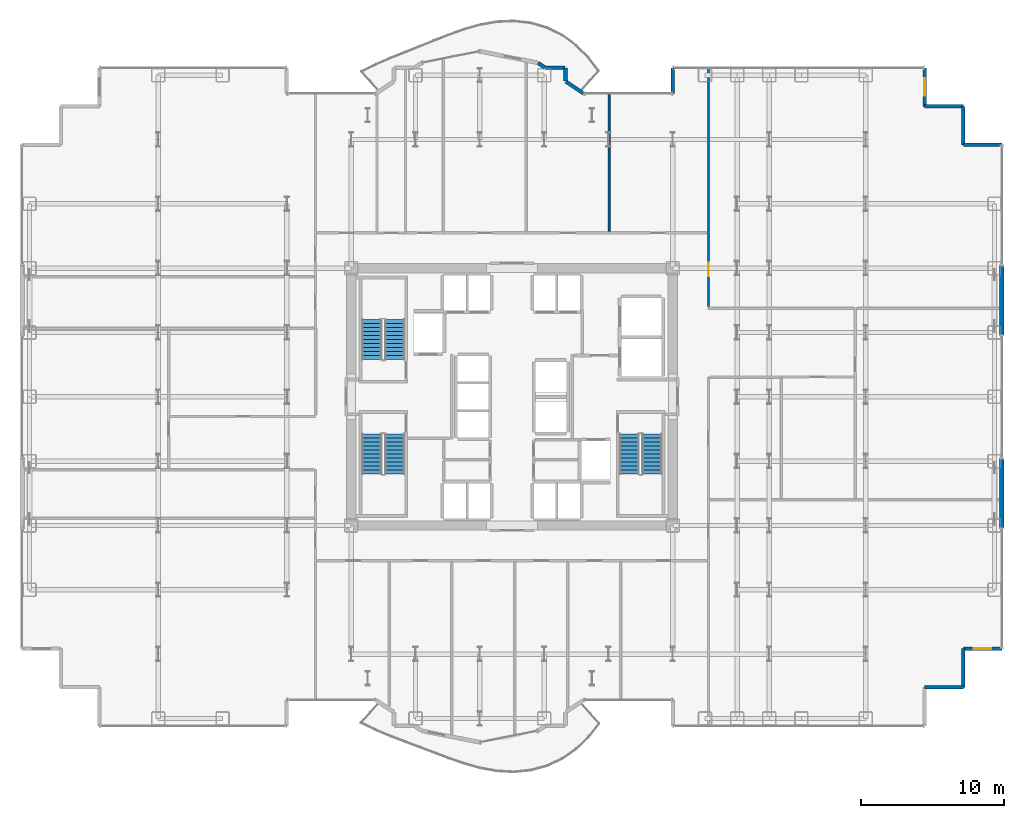
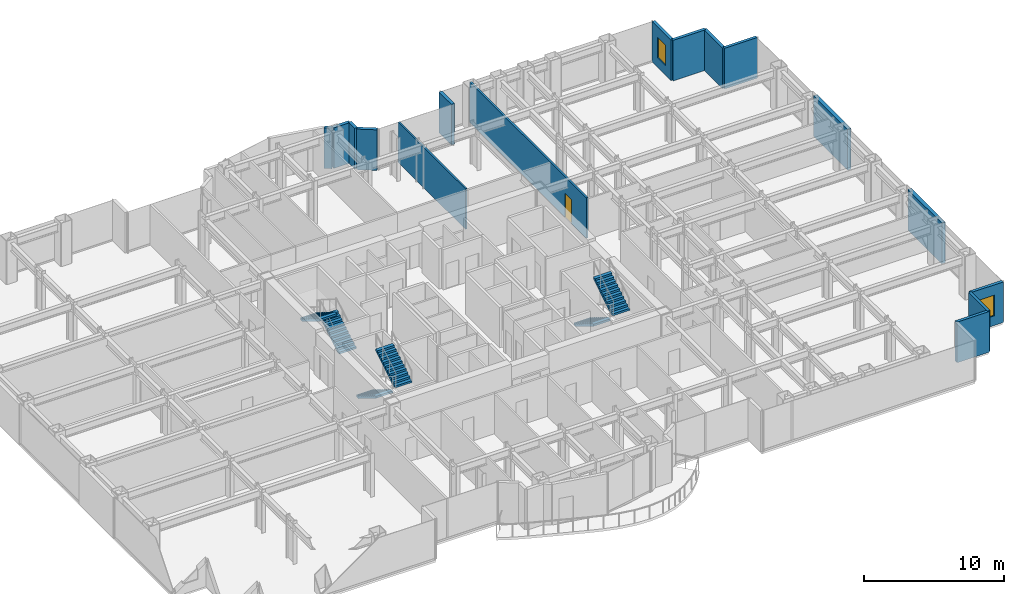
# One storey, part 27 of 29: 16 walls, 6 stair flights, 2 windows, 1 door, 3 openings, 3 elements without a shape of their own.
"""IFC4 building model written with IfcOpenShell, lengths in metres."""

from ifc_helpers import new_model, si_unit, direction, frame, frame_2d, origin, place, context, subcontext, project, spatial, polyline, rectangle, outline, extrude, source, transform, mapped, material, layer, layer_set, type_object, element, fill, aggregate, save


model = new_model("IFC4")

# Units and contexts
model_context = context("Model", 3, precision=1e-05, world=origin(), true_north=direction((0.0, 1.0)))
body_context = subcontext(model_context, "Body", "Model", "MODEL_VIEW")
ifc_project = project(units=[si_unit("LENGTHUNIT", "METRE"), si_unit("AREAUNIT", "SQUARE_METRE"), si_unit("VOLUMEUNIT", "CUBIC_METRE"), si_unit("PLANEANGLEUNIT", "RADIAN"), si_unit("MASSUNIT", "GRAM", prefix="KILO")], contexts=[model_context])

# Site, building, storey
site_placement = place(None, origin())
site = spatial("IfcSite", under=ifc_project, at=site_placement, CompositionType="ELEMENT")
building_placement = place(site_placement, origin())
building = spatial("IfcBuilding", under=site, at=building_placement, Name="Nefas-Gora Pilgrimage Tower", CompositionType="ELEMENT")
storey_placement = place(building_placement, frame((0.0, 0.0, 44.39990234375)))
storey = spatial("IfcBuildingStorey", under=building, at=storey_placement, Name="L09", CompositionType="ELEMENT", Elevation=44.39990234375)

# Walls
ifc_material_1 = material(Name="Precast concrete C45/55", Category="concrete")
ifc_layer_1 = layer(ifc_material_1, 0.239990234375)
ifc_layer_set_1 = layer_set([ifc_layer_1], Name="Precast concrete C45/55")
wall_type_1 = type_object("IfcWallType", Name="EW-SERR-240", PredefinedType="SHEAR", material=ifc_layer_set_1)
shared_shape_1 = source(origin(), body_context, "Body", "SweptSolid", [
    extrude(rectangle(XDim=4.8798828125, YDim=0.300048828125, at=frame_2d((2.43994140625, 0.0))), origin(), (0.0, 0.0, 1.0), 3.550048828125),
])
for number, where, z_axis, x_axis, name in (
    (1, (34.27001953125, -9.18994140625, 0.0), (0.0, 0.0, 1.0), (0.0, 1.0, 0.0), "L09 Braced-Tube Precast Shear Cladding 3"),
    (2, (34.27001953125, 4.31005859375, 0.0), (0.0, 0.0, 1.0), (0.0, 1.0, 0.0), "L09 Braced-Tube Precast Shear Cladding 4"),
):
    element("IfcWall", number, at=place(storey_placement, frame(where, z_axis=z_axis, x_axis=x_axis)), inside=storey, type_object=wall_type_1, Name=name, PredefinedType="SHEAR", context=body_context, shape_type="MappedRepresentation", body=[
        mapped(shared_shape_1, transform((0.0, 0.0, 0.0), x_axis=(1.0, 0.0, 0.0), y_axis=(0.0, 1.0, 0.0), z_axis=(0.0, 0.0, 1.0), scale=1.0)),
    ])
ifc_material_2 = material(Name="Precast concrete C40/50", Category="concrete")
ifc_layer_2 = layer(ifc_material_2, 0.260009765625)
ifc_layer_set_2 = layer_set([ifc_layer_2], Name="Precast concrete C40/50")
wall_type_2 = type_object("IfcWallType", Name="EW-PORTAL-260", PredefinedType="SOLIDWALL", material=ifc_layer_set_2)
shared_shape_2 = source(origin(), body_context, "Body", "SweptSolid", [
    extrude(rectangle(XDim=1.800048828125, YDim=0.260009765625, at=frame_2d((0.89990234375, 0.0))), origin(), (0.0, 0.0, 1.0), 3.550048828125),
])
wall_1_placement = place(storey_placement, frame((11.25, 23.02001953125, 0.0), z_axis=(0.0, 0.0, 1.0), x_axis=(0.0, -1.0, 0.0)))
element("IfcWall", 3, at=wall_1_placement, inside=storey, type_object=wall_type_2, Name="L09 Lobe Shoulder Precast Spandrel Pier 14", PredefinedType="SOLIDWALL", context=body_context, shape_type="MappedRepresentation", body=[
    mapped(shared_shape_2, transform((0.0, 0.0, 0.0), x_axis=(1.0, 0.0, 0.0), y_axis=(0.0, 1.0, 0.0), z_axis=(0.0, 0.0, 1.0), scale=1.0)),
])
shared_shape_3 = source(origin(), body_context, "Body", "SweptSolid", [
    extrude(rectangle(XDim=2.699951171875, YDim=0.239990234375, at=frame_2d((1.35009765625, 0.0))), origin(), (0.0, 0.0, 1.0), 3.550048828125),
])
for number, where, z_axis, x_axis, name in (
    (4, (28.8701171875, -20.320068359375, 0.0), (0.0, 0.0, 1.0), (1.0, 0.0, 0.0), "L09 Serrated Corner Shear Pier Wall 7"),
    (5, (31.570068359375, -20.320068359375, 0.0), (0.0, 0.0, 1.0), (0.0, 1.0, 0.0), "L09 Serrated Corner Shear Pier Wall 8"),
):
    element("IfcWall", number, at=place(storey_placement, frame(where, z_axis=z_axis, x_axis=x_axis)), inside=storey, type_object=wall_type_1, Name=name, PredefinedType="SHEAR", context=body_context, shape_type="MappedRepresentation", body=[
        mapped(shared_shape_3, transform((0.0, 0.0, 0.0), x_axis=(1.0, 0.0, 0.0), y_axis=(0.0, 1.0, 0.0), z_axis=(0.0, 0.0, 1.0), scale=1.0)),
    ])

# Wall, opening, window
wall_2_placement = place(storey_placement, frame((31.570068359375, -17.6201171875, 0.0), z_axis=(0.0, 0.0, 1.0), x_axis=(1.0, 0.0, 0.0)))
wall_2 = element("IfcWall", 6, at=wall_2_placement, inside=storey, type_object=wall_type_1, Name="L09 Serrated Corner Shear Pier Wall 9", PredefinedType="SHEAR", context=body_context, shape_type="MappedRepresentation", body=[
    mapped(shared_shape_3, transform((0.0, 0.0, 0.0), x_axis=(1.0, 0.0, 0.0), y_axis=(0.0, 1.0, 0.0), z_axis=(0.0, 0.0, 1.0), scale=1.0)),
])
opening_1_placement = place(wall_2_placement, frame((0.75, 0.0, 0.85009765625)))
opening_1 = element("IfcOpeningElement", 7, at=opening_1_placement, cuts=wall_2, Name="Opening W-V1", PredefinedType="OPENING", context=body_context, shape_type="SweptSolid", body=[
    extrude(rectangle(XDim=1.199951171875, YDim=1.800048828125, at=frame_2d((0.60009765625, 0.89990234375))), frame((0.0, 0.1298828125, 0.0), z_axis=(0.0, -1.0, 0.0), x_axis=(1.0, 0.0, 0.0)), (0.0, 0.0, 1.0), 0.260009765625),
])
ifc_material_3 = material(Name="Dark ceramic-fritted operable aluminium-glass window", Category="aluminium")
window_type = type_object("IfcWindowType", Name="WIN-VENT-1200x1800", PartitioningType="SINGLE_PANEL", PredefinedType="WINDOW", material=ifc_material_3)
shared_shape_4 = source(origin(), body_context, "Body", "SweptSolid", [
    extrude(rectangle(XDim=1.199951171875, YDim=1.800048828125, at=frame_2d((0.60009765625, 0.89990234375))), frame((0.0, 0.030029296875, 0.0), z_axis=(0.0, -1.0, 0.0), x_axis=(1.0, 0.0, 0.0)), (0.0, 0.0, 1.0), 0.06005859375),
])
window_1_placement = place(opening_1_placement, origin())
window_1 = element("IfcWindow", 8, at=window_1_placement, inside=storey, type_object=window_type, Name="L09 Operable Parallel-Outswing Window 9", OverallHeight=1.800048828125, OverallWidth=1.199951171875, PartitioningType="SINGLE_PANEL", PredefinedType="WINDOW", context=body_context, shape_type="MappedRepresentation", body=[
    mapped(shared_shape_4, transform((0.0, 0.0, 0.0), x_axis=(1.0, 0.0, 0.0), y_axis=(0.0, 1.0, 0.0), z_axis=(0.0, 0.0, 1.0), scale=1.0)),
])
fill(opening_1, window_1)

# Walls
for number, where, z_axis, x_axis, name in (
    (9, (34.27001953125, 17.6201171875, 0.0), (0.0, 0.0, 1.0), (-1.0, 0.0, 0.0), "L09 Serrated Corner Shear Pier Wall 10"),
    (10, (31.570068359375, 17.6201171875, 0.0), (0.0, 0.0, 1.0), (0.0, 1.0, 0.0), "L09 Serrated Corner Shear Pier Wall 11"),
    (11, (31.570068359375, 20.320068359375, 0.0), (0.0, 0.0, 1.0), (-1.0, 0.0, 0.0), "L09 Serrated Corner Shear Pier Wall 12"),
):
    element("IfcWall", number, at=place(storey_placement, frame(where, z_axis=z_axis, x_axis=x_axis)), inside=storey, type_object=wall_type_1, Name=name, PredefinedType="SHEAR", context=body_context, shape_type="MappedRepresentation", body=[
        mapped(shared_shape_3, transform((0.0, 0.0, 0.0), x_axis=(1.0, 0.0, 0.0), y_axis=(0.0, 1.0, 0.0), z_axis=(0.0, 0.0, 1.0), scale=1.0)),
    ])

# Wall, opening, window
wall_3_placement = place(storey_placement, frame((28.8701171875, 20.320068359375, 0.0), z_axis=(0.0, 0.0, 1.0), x_axis=(0.0, 1.0, 0.0)))
wall_3 = element("IfcWall", 12, at=wall_3_placement, inside=storey, type_object=wall_type_1, Name="L09 Serrated Corner Shear Pier Wall 13", PredefinedType="SHEAR", context=body_context, shape_type="MappedRepresentation", body=[
    mapped(shared_shape_3, transform((0.0, 0.0, 0.0), x_axis=(1.0, 0.0, 0.0), y_axis=(0.0, 1.0, 0.0), z_axis=(0.0, 0.0, 1.0), scale=1.0)),
])
opening_2_placement = place(wall_3_placement, frame((0.75, 0.0, 0.85009765625)))
opening_2 = element("IfcOpeningElement", 13, at=opening_2_placement, cuts=wall_3, Name="Opening W-V1", PredefinedType="OPENING", context=body_context, shape_type="SweptSolid", body=[
    extrude(rectangle(XDim=1.199951171875, YDim=1.800048828125, at=frame_2d((0.60009765625, 0.89990234375))), frame((0.0, 0.1298828125, 0.0), z_axis=(0.0, -1.0, 0.0), x_axis=(1.0, 0.0, 0.0)), (0.0, 0.0, 1.0), 0.260009765625),
])
window_2_placement = place(opening_2_placement, origin())
window_2 = element("IfcWindow", 14, at=window_2_placement, inside=storey, type_object=window_type, Name="L09 Operable Parallel-Outswing Window 13", OverallHeight=1.800048828125, OverallWidth=1.199951171875, PartitioningType="SINGLE_PANEL", PredefinedType="WINDOW", context=body_context, shape_type="MappedRepresentation", body=[
    mapped(shared_shape_4, transform((0.0, 0.0, 0.0), x_axis=(1.0, 0.0, 0.0), y_axis=(0.0, 1.0, 0.0), z_axis=(0.0, 0.0, 1.0), scale=1.0)),
])
fill(opening_2, window_2)

# Walls
shared_shape_5 = source(origin(), body_context, "Body", "SweptSolid", [
    extrude(rectangle(XDim=1.468994140625, YDim=0.260009765625, at=frame_2d((0.734375, 0.0))), origin(), (0.0, 0.0, 1.0), 3.550048828125),
])
wall_4_placement = place(storey_placement, frame((4.99462890625, 21.235595703125, 0.0), z_axis=(0.0, 0.0, 1.0), x_axis=(-0.831461760506, 0.555581983884, 0.0)))
element("IfcWall", 15, at=wall_4_placement, inside=storey, type_object=wall_type_2, Name="L09 Lobe Shoulder Precast Spandrel Pier 15", PredefinedType="SOLIDWALL", context=body_context, shape_type="MappedRepresentation", body=[
    mapped(shared_shape_5, transform((0.0, 0.0, 0.0), x_axis=(1.0, 0.0, 0.0), y_axis=(0.0, 1.0, 0.0), z_axis=(0.0, 0.0, 1.0), scale=1.0)),
])
shared_shape_6 = source(origin(), body_context, "Body", "SweptSolid", [
    extrude(rectangle(XDim=0.896728515625, YDim=0.260009765625, at=frame_2d((0.4482421875, 0.0))), origin(), (0.0, 0.0, 1.0), 3.550048828125),
])
wall_5_placement = place(storey_placement, frame((3.75, 22.09521484375, 0.0), z_axis=(0.0, 0.0, 1.0), x_axis=(0.0, 1.0, 0.0)))
element("IfcWall", 16, at=wall_5_placement, inside=storey, type_object=wall_type_2, Name="L09 Lobe Shoulder Precast Spandrel Pier 16", PredefinedType="SOLIDWALL", context=body_context, shape_type="MappedRepresentation", body=[
    mapped(shared_shape_6, transform((0.0, 0.0, 0.0), x_axis=(1.0, 0.0, 0.0), y_axis=(0.0, 1.0, 0.0), z_axis=(0.0, 0.0, 1.0), scale=1.0)),
])
shared_shape_7 = source(origin(), body_context, "Body", "SweptSolid", [
    extrude(rectangle(XDim=1.369873046875, YDim=0.260009765625, at=frame_2d((0.68505859375, 0.0))), origin(), (0.0, 0.0, 1.0), 3.550048828125),
])
wall_6_placement = place(storey_placement, frame((3.721923828125, 23.02001953125, 0.0), z_axis=(0.0, 0.0, 1.0), x_axis=(-1.0, 0.0, 0.0)))
element("IfcWall", 17, at=wall_6_placement, inside=storey, type_object=wall_type_2, Name="L09 Lobe Shoulder Precast Spandrel Pier 17", PredefinedType="SOLIDWALL", context=body_context, shape_type="MappedRepresentation", body=[
    mapped(shared_shape_7, transform((0.0, 0.0, 0.0), x_axis=(1.0, 0.0, 0.0), y_axis=(0.0, 1.0, 0.0), z_axis=(0.0, 0.0, 1.0), scale=1.0)),
])
shared_shape_8 = source(origin(), body_context, "Body", "SweptSolid", [
    extrude(rectangle(XDim=0.5654296875, YDim=0.260009765625, at=frame_2d((0.28271484375, 0.0))), origin(), (0.0, 0.0, 1.0), 3.550048828125),
])
wall_7_placement = place(storey_placement, frame((2.30078125, 23.03564453125, 0.0), z_axis=(0.0, 0.0, 1.0), x_axis=(-0.831651492666, 0.555297933317, 0.0)))
element("IfcWall", 18, at=wall_7_placement, inside=storey, type_object=wall_type_2, Name="L09 Lobe Shoulder Precast Spandrel Pier 18", PredefinedType="SOLIDWALL", context=body_context, shape_type="MappedRepresentation", body=[
    mapped(shared_shape_8, transform((0.0, 0.0, 0.0), x_axis=(1.0, 0.0, 0.0), y_axis=(0.0, 1.0, 0.0), z_axis=(0.0, 0.0, 1.0), scale=1.0)),
])

# Wall, opening, door
ifc_material_4 = material(Name="Gypsum acoustic stud partition")
ifc_layer_3 = layer(ifc_material_4, 0.159912109375)
ifc_layer_set_3 = layer_set([ifc_layer_3], Name="Gypsum acoustic stud partition")
wall_type_3 = type_object("IfcWallType", Name="IW-CORR-160", PredefinedType="PARTITIONING", material=ifc_layer_set_3)
shared_shape_9 = source(origin(), body_context, "Body", "SweptSolid", [
    extrude(rectangle(XDim=16.735107421875, YDim=0.159912109375, at=frame_2d((8.36767578125, 0.0))), origin(), (0.0, 0.0, 1.0), 3.53515625),
])
wall_8_placement = place(storey_placement, frame((13.739990234375, 6.304931640625, 0.0), z_axis=(0.0, 0.0, 1.0), x_axis=(0.0, 1.0, 0.0)))
wall_8 = element("IfcWall", 19, at=wall_8_placement, inside=storey, type_object=wall_type_3, Name="L09 Pilgrim Contemplative Lounge Partition Wall 48", PredefinedType="PARTITIONING", context=body_context, shape_type="MappedRepresentation", body=[
    mapped(shared_shape_9, transform((0.0, 0.0, 0.0), x_axis=(1.0, 0.0, 0.0), y_axis=(0.0, 1.0, 0.0), z_axis=(0.0, 0.0, 1.0), scale=1.0)),
])
opening_3_placement = place(wall_8_placement, frame((2.12744140625, 0.0, 0.0)))
opening_3 = element("IfcOpeningElement", 20, at=opening_3_placement, cuts=wall_8, Name="Opening ID-GR1", PredefinedType="OPENING", context=body_context, shape_type="SweptSolid", body=[
    extrude(rectangle(XDim=0.949951171875, YDim=2.10009765625, at=frame_2d((0.47509765625, 1.050048828125))), frame((0.0, 0.08984375, 0.0), z_axis=(0.0, -1.0, 0.0), x_axis=(1.0, 0.0, 0.0)), (0.0, 0.0, 1.0), 0.179931640625),
])
ifc_material_5 = material(Name="Solid core oak fire-rated guest entrance door")
door_type = type_object("IfcDoorType", Name="DR-INT-GUEST-950", OperationType="NOTDEFINED", PredefinedType="DOOR", material=ifc_material_5)
shared_shape_10 = source(origin(), body_context, "Body", "SweptSolid", [
    extrude(rectangle(XDim=0.949951171875, YDim=2.10009765625, at=frame_2d((0.47509765625, 1.050048828125))), frame((0.0, 0.02490234375, 0.0), z_axis=(0.0, -1.0, 0.0), x_axis=(1.0, 0.0, 0.0)), (0.0, 0.0, 1.0), 0.050048828125),
])
door_placement = place(opening_3_placement, origin())
door = element("IfcDoor", 21, at=door_placement, inside=storey, type_object=door_type, Name="L09 Pilgrim Contemplative Lounge Door 21", OperationType="SINGLE_SWING_RIGHT", OverallHeight=2.10009765625, OverallWidth=0.949951171875, PredefinedType="DOOR", context=body_context, shape_type="MappedRepresentation", body=[
    mapped(shared_shape_10, transform((0.0, 0.0, 0.0), x_axis=(1.0, 0.0, 0.0), y_axis=(0.0, 1.0, 0.0), z_axis=(0.0, 0.0, 1.0), scale=1.0)),
])
fill(opening_3, door)

# Wall
ifc_material_6 = material(Name="Gypsum twin-stud partition")
ifc_layer_4 = layer(ifc_material_6, 0.139892578125)
ifc_layer_set_4 = layer_set([ifc_layer_4], Name="Gypsum twin-stud partition")
wall_type_4 = type_object("IfcWallType", Name="IW-UNIT-140", PredefinedType="PARTITIONING", material=ifc_layer_set_4)
shared_shape_11 = source(origin(), body_context, "Body", "SweptSolid", [
    extrude(rectangle(XDim=9.64990234375, YDim=0.139892578125, at=frame_2d((4.824951171875, 0.0))), origin(), (0.0, 0.0, 1.0), 3.53515625),
])
wall_9_placement = place(storey_placement, frame((6.794921875, 11.590087890625, 0.0), z_axis=(0.0, 0.0, 1.0), x_axis=(0.0, 1.0, 0.0)))
element("IfcWall", 22, at=wall_9_placement, inside=storey, type_object=wall_type_4, Name="L09 Pilgrim Contemplative Lounge Partition Wall 55", PredefinedType="PARTITIONING", context=body_context, shape_type="MappedRepresentation", body=[
    mapped(shared_shape_11, transform((0.0, 0.0, 0.0), x_axis=(1.0, 0.0, 0.0), y_axis=(0.0, 1.0, 0.0), z_axis=(0.0, 0.0, 1.0), scale=1.0)),
])

# Stair, stair flights
ifc_material_7 = material(Name="Concrete C45/55", Category="concrete")
stair_type = type_object("IfcStairType", Name="STR-1400-R1727", PredefinedType="HALF_TURN_STAIR", material=ifc_material_7)
stair_1_placement = place(storey_placement, origin())
stair_1 = element("IfcStair", 23, at=stair_1_placement, inside=storey, type_object=stair_type, Name="L09 Pressurised Tower Exit Stair ST-01", PredefinedType="HALF_TURN_STAIR")
stair_flight_type = type_object("IfcStairFlightType", Name="STF-1400-R1727", PredefinedType="STRAIGHT", material=ifc_material_7)
shared_shape_12 = source(origin(), body_context, "Body", "SweptSolid", [
    extrude(outline(polyline([(0.0, 0.0), (0.0, 0.172607421875), (0.280029296875, 0.172607421875), (0.280029296875, 0.345458984375), (0.56005859375, 0.345458984375), (0.56005859375, 0.51806640625), (0.840087890625, 0.51806640625), (0.840087890625, 0.69091796875), (1.1201171875, 0.69091796875), (1.1201171875, 0.863525390625), (1.39990234375, 0.863525390625), (1.39990234375, 1.036376953125), (1.679931640625, 1.036376953125), (1.679931640625, 1.208984375), (1.9599609375, 1.208984375), (1.9599609375, 1.3818359375), (2.239990234375, 1.3818359375), (2.239990234375, 1.554443359375), (2.52001953125, 1.554443359375), (2.52001953125, 1.727294921875), (2.800048828125, 1.727294921875), (2.800048828125, 1.89990234375), (2.800048828125, 1.551025390625), (0.285400390625, 0.0), (0.0, 0.0)])), frame((0.0, 0.699951171875, 0.0), z_axis=(0.0, -1.0, 0.0), x_axis=(1.0, 0.0, 0.0)), (0.0, 0.0, 1.0), 1.39990234375),
])
stair_flight_1_placement = place(storey_placement, frame((-8.199951171875, 2.60009765625, 0.0), z_axis=(0.0, 0.0, 1.0), x_axis=(0.0, 1.0, 0.0)))
stair_flight_1 = element("IfcStairFlight", 24, at=stair_flight_1_placement, type_object=stair_flight_type, Name="ST-01 flight 1", NumberOfRisers=11, NumberOfTreads=10, PredefinedType="STRAIGHT", RiserHeight=0.172727273, TreadLength=0.28, context=body_context, shape_type="MappedRepresentation", body=[
    mapped(shared_shape_12, transform((0.0, 0.0, 0.0), x_axis=(1.0, 0.0, 0.0), y_axis=(0.0, 1.0, 0.0), z_axis=(0.0, 0.0, 1.0), scale=1.0)),
])
stair_flight_2_placement = place(storey_placement, frame((-9.800048828125, 5.39990234375, 1.900146484375), z_axis=(0.0, 0.0, 1.0), x_axis=(0.0, -1.0, 0.0)))
stair_flight_2 = element("IfcStairFlight", 25, at=stair_flight_2_placement, type_object=stair_flight_type, Name="ST-01 flight 2", NumberOfRisers=11, NumberOfTreads=10, PredefinedType="STRAIGHT", RiserHeight=0.172727273, TreadLength=0.28, context=body_context, shape_type="MappedRepresentation", body=[
    mapped(shared_shape_12, transform((0.0, 0.0, 0.0), x_axis=(1.0, 0.0, 0.0), y_axis=(0.0, 1.0, 0.0), z_axis=(0.0, 0.0, 1.0), scale=1.0)),
])
aggregate(stair_1, [stair_flight_1, stair_flight_2])

stair_2_placement = place(storey_placement, origin())
stair_2 = element("IfcStair", 26, at=stair_2_placement, inside=storey, type_object=stair_type, Name="L09 Pressurised Tower Exit Stair ST-02", PredefinedType="HALF_TURN_STAIR")
stair_flight_3_placement = place(storey_placement, frame((8.199951171875, -2.60009765625, 0.0), z_axis=(0.0, 0.0, 1.0), x_axis=(0.0, -1.0, 0.0)))
stair_flight_3 = element("IfcStairFlight", 27, at=stair_flight_3_placement, type_object=stair_flight_type, Name="ST-02 flight 1", NumberOfRisers=11, NumberOfTreads=10, PredefinedType="STRAIGHT", RiserHeight=0.172727273, TreadLength=0.28, context=body_context, shape_type="MappedRepresentation", body=[
    mapped(shared_shape_12, transform((0.0, 0.0, 0.0), x_axis=(1.0, 0.0, 0.0), y_axis=(0.0, 1.0, 0.0), z_axis=(0.0, 0.0, 1.0), scale=1.0)),
])
stair_flight_4_placement = place(storey_placement, frame((9.800048828125, -5.39990234375, 1.900146484375), z_axis=(0.0, 0.0, 1.0), x_axis=(0.0, 1.0, 0.0)))
stair_flight_4 = element("IfcStairFlight", 28, at=stair_flight_4_placement, type_object=stair_flight_type, Name="ST-02 flight 2", NumberOfRisers=11, NumberOfTreads=10, PredefinedType="STRAIGHT", RiserHeight=0.172727273, TreadLength=0.28, context=body_context, shape_type="MappedRepresentation", body=[
    mapped(shared_shape_12, transform((0.0, 0.0, 0.0), x_axis=(1.0, 0.0, 0.0), y_axis=(0.0, 1.0, 0.0), z_axis=(0.0, 0.0, 1.0), scale=1.0)),
])
aggregate(stair_2, [stair_flight_3, stair_flight_4])

stair_3_placement = place(storey_placement, origin())
stair_3 = element("IfcStair", 29, at=stair_3_placement, inside=storey, type_object=stair_type, Name="L09 Pressurised Tower Exit Stair ST-03", PredefinedType="HALF_TURN_STAIR")
stair_flight_5_placement = place(storey_placement, frame((-9.800048828125, -2.60009765625, 0.0), z_axis=(0.0, 0.0, 1.0), x_axis=(0.0, -1.0, 0.0)))
stair_flight_5 = element("IfcStairFlight", 30, at=stair_flight_5_placement, type_object=stair_flight_type, Name="ST-03 flight 1", NumberOfRisers=11, NumberOfTreads=10, PredefinedType="STRAIGHT", RiserHeight=0.172727273, TreadLength=0.28, context=body_context, shape_type="MappedRepresentation", body=[
    mapped(shared_shape_12, transform((0.0, 0.0, 0.0), x_axis=(1.0, 0.0, 0.0), y_axis=(0.0, 1.0, 0.0), z_axis=(0.0, 0.0, 1.0), scale=1.0)),
])
stair_flight_6_placement = place(storey_placement, frame((-8.199951171875, -5.39990234375, 1.900146484375), z_axis=(0.0, 0.0, 1.0), x_axis=(0.0, 1.0, 0.0)))
stair_flight_6 = element("IfcStairFlight", 31, at=stair_flight_6_placement, type_object=stair_flight_type, Name="ST-03 flight 2", NumberOfRisers=11, NumberOfTreads=10, PredefinedType="STRAIGHT", RiserHeight=0.172727273, TreadLength=0.28, context=body_context, shape_type="MappedRepresentation", body=[
    mapped(shared_shape_12, transform((0.0, 0.0, 0.0), x_axis=(1.0, 0.0, 0.0), y_axis=(0.0, 1.0, 0.0), z_axis=(0.0, 0.0, 1.0), scale=1.0)),
])
aggregate(stair_3, [stair_flight_5, stair_flight_6])

save(model, "model.ifc")
